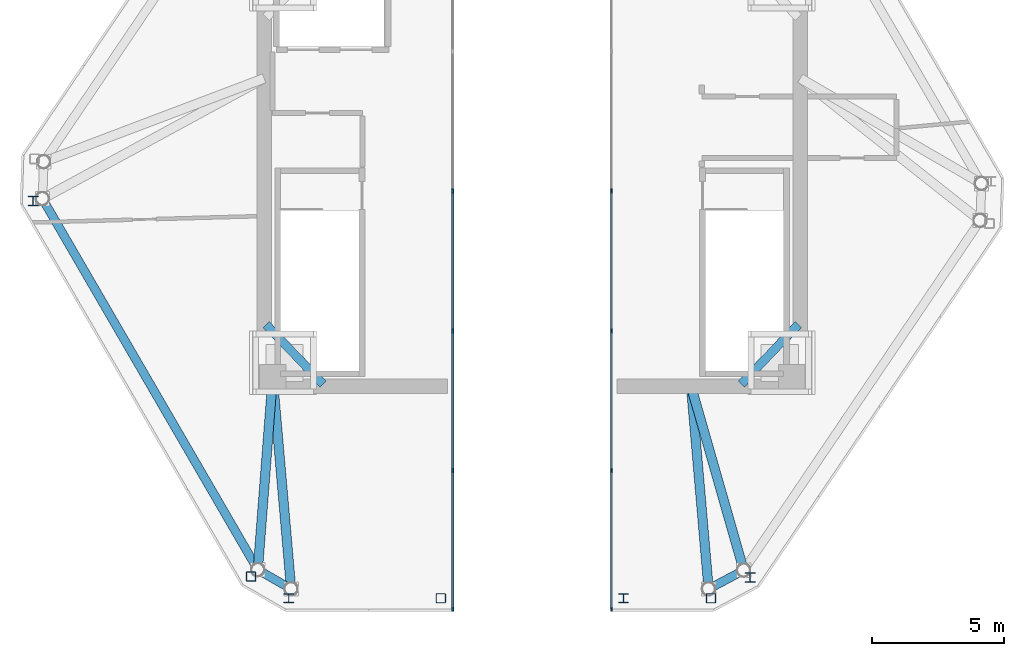
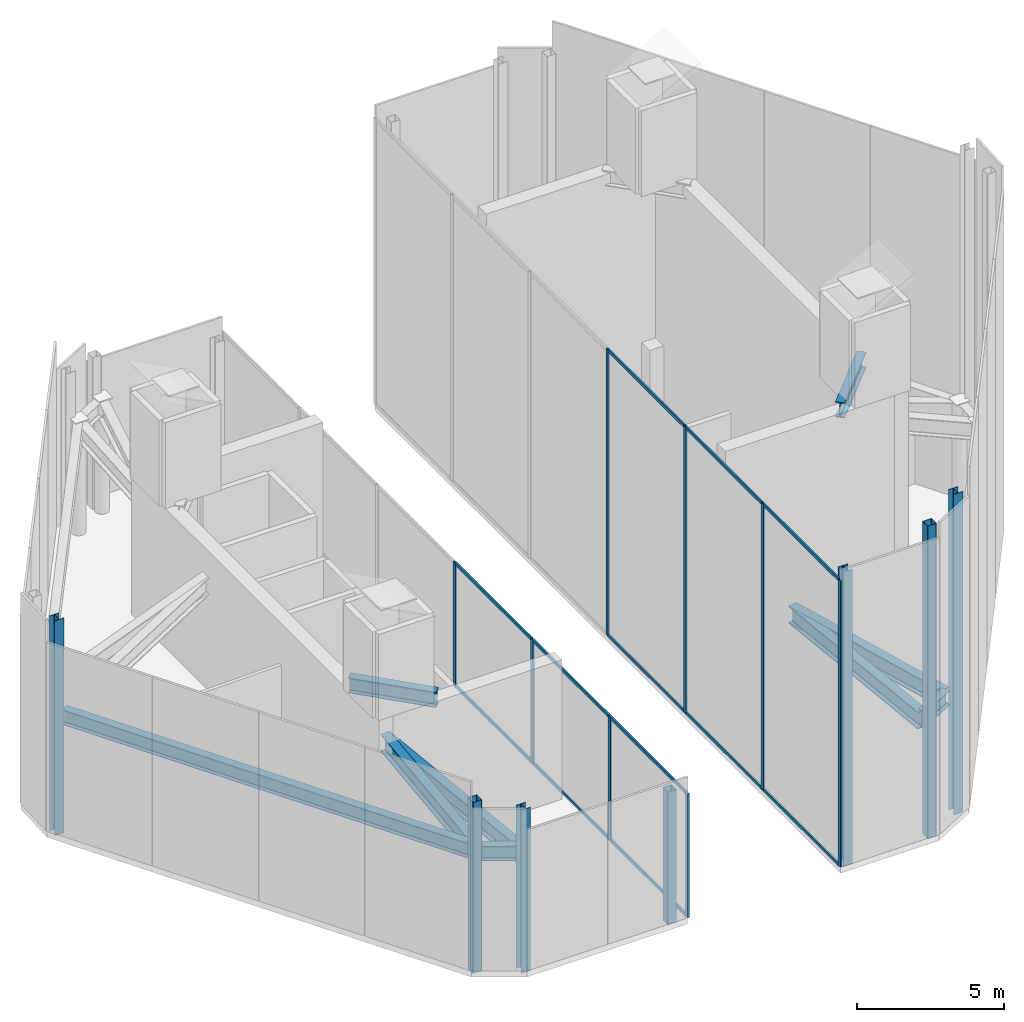
# One storey, part 2 of 9: 27 members, 9 beams, 2 elements without a shape of their own.
"""IFC4 building model written with IfcOpenShell, lengths in metres."""

from ifc_helpers import new_model, si_unit, direction, frame, origin, origin_2d, place, context, subcontext, project, spatial, rectangle, hollow_rectangle, i_section, extrude, source, transform, mapped, material, layer, layer_set, material_profile, profile_set, type_object, type_shapes, element, aggregate, save


model = new_model("IFC4")

# Units and contexts
model_context = context("Model", 3, precision=1e-05, world=origin(), true_north=direction((0.0, 1.0)))
body_context = subcontext(model_context, "Body", "Model", "MODEL_VIEW")
ifc_project = project(units=[si_unit("LENGTHUNIT", "METRE"), si_unit("AREAUNIT", "SQUARE_METRE"), si_unit("VOLUMEUNIT", "CUBIC_METRE"), si_unit("PLANEANGLEUNIT", "RADIAN"), si_unit("MASSUNIT", "GRAM", prefix="KILO")], contexts=[model_context])

# Site, building, storey
site_placement = place(None, origin())
site = spatial("IfcSite", under=ifc_project, at=site_placement, CompositionType="ELEMENT")
building_placement = place(site_placement, origin())
building = spatial("IfcBuilding", under=site, at=building_placement, Name="Durnholm Broadcast Tower", CompositionType="ELEMENT")
storey_placement = place(building_placement, frame((0.0, 0.0, 287.0)))
storey = spatial("IfcBuildingStorey", under=building, at=storey_placement, Name="L79", CompositionType="ELEMENT", Elevation=287.0)

# Beams
ifc_material_1 = material(Name="Steel ASTM A992 Grade 50", Category="steel")
ifc_material_profile_1 = material_profile(ifc_material_1, i_section(OverallWidth=0.3251953125, OverallDepth=0.6162109375, WebThickness=0.013916015625, FlangeThickness=0.021484375, FilletRadius=0.02783203125, at=origin_2d()), Name="W24X117")
ifc_profile_set_1 = profile_set([ifc_material_profile_1], Name="Steel ASTM A992 Grade 50")
beam_type_1 = type_object("IfcBeamType", Name="STL-SP-W24X117", PredefinedType="SPANDREL", material=ifc_profile_set_1)
shared_shape_1 = source(origin(), body_context, "Body", "SweptSolid", [
    extrude(i_section(OverallWidth=0.3251953125, OverallDepth=0.6162109375, WebThickness=0.013916015625, FlangeThickness=0.021484375, FilletRadius=0.02783203125, at=origin_2d()), origin(), (0.0, 0.0, 1.0), 16.202880859375),
])
beam_1_placement = place(storey_placement, frame((-10.361328125, -15.061767578125, 4.39697265625), z_axis=(-0.501948303381, 0.864897624423, 0.0), x_axis=(-0.864897624423, -0.501948303381, 0.0)))
element("IfcBeam", 1, at=beam_1_placement, inside=storey, type_object=beam_type_1, Name="L79 perimeter spandrel girder 01", PredefinedType="SPANDREL", context=body_context, shape_type="MappedRepresentation", body=[
    mapped(shared_shape_1, transform((0.0, 0.0, 0.0), x_axis=(1.0, 0.0, 0.0), y_axis=(0.0, 1.0, 0.0), z_axis=(0.0, 0.0, 1.0), scale=1.0)),
])
shared_shape_2 = source(origin(), body_context, "Body", "SweptSolid", [
    extrude(i_section(OverallWidth=0.3251953125, OverallDepth=0.6162109375, WebThickness=0.013916015625, FlangeThickness=0.021484375, FilletRadius=0.02783203125, at=origin_2d()), origin(), (0.0, 0.0, 1.0), 1.502685546875),
])
beam_2_placement = place(storey_placement, frame((7.990966796875, -15.081298828125, 4.39697265625), z_axis=(-0.883241909673, -0.468917614296, 0.0), x_axis=(0.468917614296, -0.883241909673, 0.0)))
element("IfcBeam", 2, at=beam_2_placement, inside=storey, type_object=beam_type_1, Name="L79 perimeter spandrel girder 10", PredefinedType="SPANDREL", context=body_context, shape_type="MappedRepresentation", body=[
    mapped(shared_shape_2, transform((0.0, 0.0, 0.0), x_axis=(1.0, 0.0, 0.0), y_axis=(0.0, 1.0, 0.0), z_axis=(0.0, 0.0, 1.0), scale=1.0)),
])
shared_shape_3 = source(origin(), body_context, "Body", "SweptSolid", [
    extrude(i_section(OverallWidth=0.3251953125, OverallDepth=0.6162109375, WebThickness=0.013916015625, FlangeThickness=0.021484375, FilletRadius=0.02783203125, at=origin_2d()), origin(), (0.0, 0.0, 1.0), 1.451171875),
])
type_shapes(beam_type_1, [shared_shape_1, shared_shape_2, shared_shape_3])
beam_3_placement = place(storey_placement, frame((-9.103759765625, -15.785888671875, 4.39697265625), z_axis=(-0.866602615509, 0.498998904601, 0.0), x_axis=(-0.498998904601, -0.866602615509, 0.0)))
element("IfcBeam", 3, at=beam_3_placement, inside=storey, type_object=beam_type_1, Name="L79 perimeter spandrel girder 12", PredefinedType="SPANDREL", context=body_context, shape_type="MappedRepresentation", body=[
    mapped(shared_shape_3, transform((0.0, 0.0, 0.0), x_axis=(1.0, 0.0, 0.0), y_axis=(0.0, 1.0, 0.0), z_axis=(0.0, 0.0, 1.0), scale=1.0)),
])
ifc_material_profile_2 = material_profile(ifc_material_1, i_section(OverallWidth=0.3564453125, OverallDepth=0.713623046875, WebThickness=0.01904296875, FlangeThickness=0.033935546875, FilletRadius=0.030517578125, at=origin_2d()), Name="W27X194")
ifc_profile_set_2 = profile_set([ifc_material_profile_2], Name="Steel ASTM A992 Grade 50")
beam_type_2 = type_object("IfcBeamType", Name="STL-GR-W27X194", PredefinedType="USERDEFINED", material=ifc_profile_set_2)
shared_shape_4 = source(origin(), body_context, "Body", "SweptSolid", [
    extrude(i_section(OverallWidth=0.3564453125, OverallDepth=0.713623046875, WebThickness=0.01904296875, FlangeThickness=0.033935546875, FilletRadius=0.030517578125, at=origin_2d()), origin(), (0.0, 0.0, 1.0), 7.283447265625),
])
beam_4_placement = place(storey_placement, frame((-9.800048828125, -7.800048828125, 4.34814453125), z_axis=(-0.07706304746, -0.997026221679, 0.0), x_axis=(0.997026221679, -0.07706304746, 0.0)))
element("IfcBeam", 4, at=beam_4_placement, inside=storey, type_object=beam_type_2, Name="L79 radial primary floor girder 01", ObjectType="GIRDER", PredefinedType="USERDEFINED", context=body_context, shape_type="MappedRepresentation", body=[
    mapped(shared_shape_4, transform((0.0, 0.0, 0.0), x_axis=(1.0, 0.0, 0.0), y_axis=(0.0, 1.0, 0.0), z_axis=(0.0, 0.0, 1.0), scale=1.0)),
])
shared_shape_5 = source(origin(), body_context, "Body", "SweptSolid", [
    extrude(i_section(OverallWidth=0.3564453125, OverallDepth=0.713623046875, WebThickness=0.01904296875, FlangeThickness=0.033935546875, FilletRadius=0.030517578125, at=origin_2d()), origin(), (0.0, 0.0, 1.0), 7.235595703125),
])
beam_5_placement = place(storey_placement, frame((6.0, -8.125, 4.34814453125), z_axis=(0.275162285573, -0.961397793111, 0.0), x_axis=(0.961397793111, 0.275162285573, 0.0)))
element("IfcBeam", 5, at=beam_5_placement, inside=storey, type_object=beam_type_2, Name="L79 radial primary floor girder 10", ObjectType="GIRDER", PredefinedType="USERDEFINED", context=body_context, shape_type="MappedRepresentation", body=[
    mapped(shared_shape_5, transform((0.0, 0.0, 0.0), x_axis=(1.0, 0.0, 0.0), y_axis=(0.0, 1.0, 0.0), z_axis=(0.0, 0.0, 1.0), scale=1.0)),
])
shared_shape_6 = source(origin(), body_context, "Body", "SweptSolid", [
    extrude(i_section(OverallWidth=0.3564453125, OverallDepth=0.713623046875, WebThickness=0.01904296875, FlangeThickness=0.033935546875, FilletRadius=0.030517578125, at=origin_2d()), origin(), (0.0, 0.0, 1.0), 7.689697265625),
])
beam_6_placement = place(storey_placement, frame((6.0, -8.125, 4.34814453125), z_axis=(0.086326830756, -0.99626687102, 0.0), x_axis=(0.99626687102, 0.086326830756, 0.0)))
element("IfcBeam", 6, at=beam_6_placement, inside=storey, type_object=beam_type_2, Name="L79 radial primary floor girder 11", ObjectType="GIRDER", PredefinedType="USERDEFINED", context=body_context, shape_type="MappedRepresentation", body=[
    mapped(shared_shape_6, transform((0.0, 0.0, 0.0), x_axis=(1.0, 0.0, 0.0), y_axis=(0.0, 1.0, 0.0), z_axis=(0.0, 0.0, 1.0), scale=1.0)),
])
shared_shape_7 = source(origin(), body_context, "Body", "SweptSolid", [
    extrude(i_section(OverallWidth=0.3564453125, OverallDepth=0.713623046875, WebThickness=0.01904296875, FlangeThickness=0.033935546875, FilletRadius=0.030517578125, at=origin_2d()), origin(), (0.0, 0.0, 1.0), 8.01611328125),
])
type_shapes(beam_type_2, [shared_shape_4, shared_shape_5, shared_shape_6, shared_shape_7])
beam_7_placement = place(storey_placement, frame((-9.800048828125, -7.800048828125, 4.34814453125), z_axis=(0.086860920724, -0.996220447718, 0.0), x_axis=(0.996220447718, 0.086860920724, 0.0)))
element("IfcBeam", 7, at=beam_7_placement, inside=storey, type_object=beam_type_2, Name="L79 radial primary floor girder 12", ObjectType="GIRDER", PredefinedType="USERDEFINED", context=body_context, shape_type="MappedRepresentation", body=[
    mapped(shared_shape_7, transform((0.0, 0.0, 0.0), x_axis=(1.0, 0.0, 0.0), y_axis=(0.0, 1.0, 0.0), z_axis=(0.0, 0.0, 1.0), scale=1.0)),
])

# Members
ifc_material_2 = material(Name="Steel ASTM A500 Grade C", Category="steel")
ifc_material_profile_3 = material_profile(ifc_material_2, hollow_rectangle(XDim=0.355712890625, YDim=0.355712890625, WallThickness=0.01171875, InnerFilletRadius=0.017578125, OuterFilletRadius=0.029541015625, at=origin_2d()), Name="HSS14X14X1/2")
ifc_profile_set_3 = profile_set([ifc_material_profile_3], Name="Steel ASTM A500 Grade C")
member_type_1 = type_object("IfcMemberType", Name="STL-CF-HSS14X14", PredefinedType="USERDEFINED", material=ifc_profile_set_3)
shared_shape_8 = source(origin(), body_context, "Body", "SweptSolid", [
    extrude(hollow_rectangle(XDim=0.355712890625, YDim=0.355712890625, WallThickness=0.01171875, InnerFilletRadius=0.017578125, OuterFilletRadius=0.029541015625, at=origin_2d()), origin(), (0.0, 0.0, 1.0), 7.0947265625),
])
member_1_placement = place(storey_placement, frame((-10.6171875, -15.318359375, -0.280029296875), z_axis=(0.0, 0.0, 1.0), x_axis=(1.0, 0.0, 0.0)))
element("IfcMember", 8, at=member_1_placement, inside=storey, type_object=member_type_1, Name="L79 W split-crown frame post 1", ObjectType="CROWN FRAME", PredefinedType="USERDEFINED", context=body_context, shape_type="MappedRepresentation", body=[
    mapped(shared_shape_8, transform((0.0, 0.0, 0.0), x_axis=(1.0, 0.0, 0.0), y_axis=(0.0, 1.0, 0.0), z_axis=(0.0, 0.0, 1.0), scale=1.0)),
])
ifc_material_profile_4 = material_profile(ifc_material_1, i_section(OverallWidth=0.368896484375, OverallDepth=0.356201171875, WebThickness=0.01123046875, FlangeThickness=0.01806640625, FilletRadius=0.030517578125, at=origin_2d()), Name="W14X90")
ifc_profile_set_4 = profile_set([ifc_material_profile_4], Name="Steel ASTM A992 Grade 50")
member_type_2 = type_object("IfcMemberType", Name="STL-CF-W14X90", PredefinedType="USERDEFINED", material=ifc_profile_set_4)
shared_shape_9 = source(origin(), body_context, "Body", "SweptSolid", [
    extrude(i_section(OverallWidth=0.368896484375, OverallDepth=0.356201171875, WebThickness=0.01123046875, FlangeThickness=0.01806640625, FilletRadius=0.030517578125, at=origin_2d()), origin(), (0.0, 0.0, 1.0), 6.780029296875),
])
member_2_placement = place(storey_placement, frame((-9.197265625, -16.135986328125, -0.280029296875), z_axis=(0.0, 0.0, 1.0), x_axis=(1.0, 0.0, 0.0)))
element("IfcMember", 9, at=member_2_placement, inside=storey, type_object=member_type_2, Name="L79 W split-crown frame post 2", ObjectType="CROWN FRAME", PredefinedType="USERDEFINED", context=body_context, shape_type="MappedRepresentation", body=[
    mapped(shared_shape_9, transform((0.0, 0.0, 0.0), x_axis=(1.0, 0.0, 0.0), y_axis=(0.0, 1.0, 0.0), z_axis=(0.0, 0.0, 1.0), scale=1.0)),
])
shared_shape_10 = source(origin(), body_context, "Body", "SweptSolid", [
    extrude(hollow_rectangle(XDim=0.355712890625, YDim=0.355712890625, WallThickness=0.01171875, InnerFilletRadius=0.017578125, OuterFilletRadius=0.029541015625, at=origin_2d()), origin(), (0.0, 0.0, 1.0), 5.505859375),
])
member_3_placement = place(storey_placement, frame((-3.449951171875, -16.135986328125, -0.280029296875), z_axis=(0.0, 0.0, 1.0), x_axis=(1.0, 0.0, 0.0)))
element("IfcMember", 10, at=member_3_placement, inside=storey, type_object=member_type_1, Name="L79 W split-crown frame post 3", ObjectType="CROWN FRAME", PredefinedType="USERDEFINED", context=body_context, shape_type="MappedRepresentation", body=[
    mapped(shared_shape_10, transform((0.0, 0.0, 0.0), x_axis=(1.0, 0.0, 0.0), y_axis=(0.0, 1.0, 0.0), z_axis=(0.0, 0.0, 1.0), scale=1.0)),
])
shared_shape_11 = source(origin(), body_context, "Body", "SweptSolid", [
    extrude(i_section(OverallWidth=0.368896484375, OverallDepth=0.356201171875, WebThickness=0.01123046875, FlangeThickness=0.01806640625, FilletRadius=0.030517578125, at=origin_2d()), origin(), (0.0, 0.0, 1.0), 8.91943359375),
])
member_4_placement = place(storey_placement, frame((-18.847412109375, -1.136474609375, -0.280029296875), z_axis=(0.0, 0.0, 1.0), x_axis=(1.0, 0.0, 0.0)))
element("IfcMember", 11, at=member_4_placement, inside=storey, type_object=member_type_2, Name="L79 W split-crown frame post 8", ObjectType="CROWN FRAME", PredefinedType="USERDEFINED", context=body_context, shape_type="MappedRepresentation", body=[
    mapped(shared_shape_11, transform((0.0, 0.0, 0.0), x_axis=(1.0, 0.0, 0.0), y_axis=(0.0, 1.0, 0.0), z_axis=(0.0, 0.0, 1.0), scale=1.0)),
])
shared_shape_12 = source(origin(), body_context, "Body", "SweptSolid", [
    extrude(i_section(OverallWidth=0.368896484375, OverallDepth=0.356201171875, WebThickness=0.01123046875, FlangeThickness=0.01806640625, FilletRadius=0.030517578125, at=origin_2d()), origin(), (0.0, 0.0, 1.0), 12.24365234375),
])
member_5_placement = place(storey_placement, frame((3.449951171875, -16.135986328125, -0.280029296875), z_axis=(0.0, 0.0, 1.0), x_axis=(1.0, 0.0, 0.0)))
element("IfcMember", 12, at=member_5_placement, inside=storey, type_object=member_type_2, Name="L79 E split-crown frame post 2", ObjectType="CROWN FRAME", PredefinedType="USERDEFINED", context=body_context, shape_type="MappedRepresentation", body=[
    mapped(shared_shape_12, transform((0.0, 0.0, 0.0), x_axis=(1.0, 0.0, 0.0), y_axis=(0.0, 1.0, 0.0), z_axis=(0.0, 0.0, 1.0), scale=1.0)),
])
shared_shape_13 = source(origin(), body_context, "Body", "SweptSolid", [
    extrude(hollow_rectangle(XDim=0.355712890625, YDim=0.355712890625, WallThickness=0.01171875, InnerFilletRadius=0.017578125, OuterFilletRadius=0.029541015625, at=origin_2d()), origin(), (0.0, 0.0, 1.0), 12.975341796875),
])
type_shapes(member_type_1, [shared_shape_8, shared_shape_10, shared_shape_13])
member_6_placement = place(storey_placement, frame((6.7509765625, -16.135986328125, -0.280029296875), z_axis=(0.0, 0.0, 1.0), x_axis=(1.0, 0.0, 0.0)))
element("IfcMember", 13, at=member_6_placement, inside=storey, type_object=member_type_1, Name="L79 E split-crown frame post 3", ObjectType="CROWN FRAME", PredefinedType="USERDEFINED", context=body_context, shape_type="MappedRepresentation", body=[
    mapped(shared_shape_13, transform((0.0, 0.0, 0.0), x_axis=(1.0, 0.0, 0.0), y_axis=(0.0, 1.0, 0.0), z_axis=(0.0, 0.0, 1.0), scale=1.0)),
])
shared_shape_14 = source(origin(), body_context, "Body", "SweptSolid", [
    extrude(i_section(OverallWidth=0.368896484375, OverallDepth=0.356201171875, WebThickness=0.01123046875, FlangeThickness=0.01806640625, FilletRadius=0.030517578125, at=origin_2d()), origin(), (0.0, 0.0, 1.0), 13.3037109375),
])
type_shapes(member_type_2, [shared_shape_9, shared_shape_11, shared_shape_12, shared_shape_14])
member_7_placement = place(storey_placement, frame((8.23193359375, -15.349609375, -0.280029296875), z_axis=(0.0, 0.0, 1.0), x_axis=(1.0, 0.0, 0.0)))
element("IfcMember", 14, at=member_7_placement, inside=storey, type_object=member_type_2, Name="L79 E split-crown frame post 4", ObjectType="CROWN FRAME", PredefinedType="USERDEFINED", context=body_context, shape_type="MappedRepresentation", body=[
    mapped(shared_shape_14, transform((0.0, 0.0, 0.0), x_axis=(1.0, 0.0, 0.0), y_axis=(0.0, 1.0, 0.0), z_axis=(0.0, 0.0, 1.0), scale=1.0)),
])

# Beams
ifc_material_profile_5 = material_profile(ifc_material_1, i_section(OverallWidth=0.3291015625, OverallDepth=0.635009765625, WebThickness=0.017822265625, FlangeThickness=0.031005859375, FilletRadius=0.02783203125, at=origin_2d()), Name="W24X162")
ifc_profile_set_5 = profile_set([ifc_material_profile_5], Name="Steel ASTM A992 Grade 50")
beam_type_3 = type_object("IfcBeamType", Name="STL-SP-W24X162", PredefinedType="SPANDREL", material=ifc_profile_set_5)
shared_shape_15 = source(origin(), body_context, "Body", "SweptSolid", [
    extrude(i_section(OverallWidth=0.3291015625, OverallDepth=0.635009765625, WebThickness=0.017822265625, FlangeThickness=0.031005859375, FilletRadius=0.02783203125, at=origin_2d()), origin(), (0.0, 0.0, 1.0), 3.112060546875),
])
type_shapes(beam_type_3, [shared_shape_15])
for number, where, z_axis, x_axis, name in (
    (15, (-10.050048828125, -5.800048828125, 5.64990234375), (0.690882374413, -0.722967180946, 0.0), (0.722967180946, 0.690882374413, 0.0), "L79 bulkhead corner trimmer girder HBM-W1"),
    (16, (10.050048828125, -5.800048828125, 12.050048828125), (-0.690882374413, -0.722967180946, 0.0), (0.722967180946, -0.690882374413, 0.0), "L79 bulkhead corner trimmer girder HBM-E3"),
):
    element("IfcBeam", number, at=place(storey_placement, frame(where, z_axis=z_axis, x_axis=x_axis)), inside=storey, type_object=beam_type_3, Name=name, ObjectType="GIRDER", PredefinedType="USERDEFINED", context=body_context, shape_type="MappedRepresentation", body=[
        mapped(shared_shape_15, transform((0.0, 0.0, 0.0), x_axis=(1.0, 0.0, 0.0), y_axis=(0.0, 1.0, 0.0), z_axis=(0.0, 0.0, 1.0), scale=1.0)),
    ])

# Curtain wall, members
ifc_material_3 = material(Name="Aluminium and Solar Control IGU", Category="aluminium")
ifc_layer = layer(ifc_material_3, 0.1650390625)
ifc_layer_set = layer_set([ifc_layer], Name="Aluminium and Solar Control IGU")
curtain_wall_type = type_object("IfcCurtainWallType", Name="CW-SYS-7", PredefinedType="NOTDEFINED", material=ifc_layer_set)
curtain_wall_1_placement = place(storey_placement, origin())
curtain_wall_1 = element("IfcCurtainWall", 17, at=curtain_wall_1_placement, inside=storey, type_object=curtain_wall_type, Name="L79 curtain wall CW-CROWN CW-L79-W-5", PredefinedType="NOTDEFINED")
ifc_material_4 = material(Name="Aluminium 6063-T6", Category="aluminium")
ifc_material_profile_6 = material_profile(ifc_material_4, rectangle(XDim=0.06494140625, YDim=0.1298828125, at=origin_2d()), Name="CWT65X130")
ifc_profile_set_6 = profile_set([ifc_material_profile_6], Name="Aluminium 6063-T6")
member_type_3 = type_object("IfcMemberType", Name="CW-SYS-7-TRN", PredefinedType="USERDEFINED", material=ifc_profile_set_6)
shared_shape_16 = source(origin(), body_context, "Body", "SweptSolid", [
    extrude(rectangle(XDim=0.06494140625, YDim=0.1298828125, at=origin_2d()), origin(), (0.0, 0.0, 1.0), 5.17724609375),
])
member_8_placement = place(storey_placement, frame((-3.0, -11.34375, 0.032470703125), z_axis=(0.0, -1.0, 0.0), x_axis=(1.0, 0.0, 0.0)))
member_8 = element("IfcMember", 18, at=member_8_placement, type_object=member_type_3, Name="CW-CROWN transom 6.1", ObjectType="TRANSOM", PredefinedType="USERDEFINED", context=body_context, shape_type="MappedRepresentation", body=[
    mapped(shared_shape_16, transform((0.0, 0.0, 0.0), x_axis=(1.0, 0.0, 0.0), y_axis=(0.0, 1.0, 0.0), z_axis=(0.0, 0.0, 1.0), scale=1.0)),
])
member_9_placement = place(storey_placement, frame((-3.0, -11.34375, 5.113525390625), z_axis=(0.0, -1.0, 0.0), x_axis=(1.0, 0.0, 0.0)))
member_9 = element("IfcMember", 19, at=member_9_placement, type_object=member_type_3, Name="CW-CROWN transom 6.2", ObjectType="TRANSOM", PredefinedType="USERDEFINED", context=body_context, shape_type="MappedRepresentation", body=[
    mapped(shared_shape_16, transform((0.0, 0.0, 0.0), x_axis=(1.0, 0.0, 0.0), y_axis=(0.0, 1.0, 0.0), z_axis=(0.0, 0.0, 1.0), scale=1.0)),
])

curtain_wall_2_placement = place(storey_placement, origin())
curtain_wall_2 = element("IfcCurtainWall", 20, at=curtain_wall_2_placement, inside=storey, type_object=curtain_wall_type, Name="L79 curtain wall CW-CROWN CW-L79-E-7", PredefinedType="NOTDEFINED")
member_10_placement = place(storey_placement, frame((3.0, -16.52099609375, 0.032470703125), z_axis=(0.0, 1.0, 0.0), x_axis=(-1.0, 0.0, 0.0)))
member_10 = element("IfcMember", 21, at=member_10_placement, type_object=member_type_3, Name="CW-CROWN transom 1.1", ObjectType="TRANSOM", PredefinedType="USERDEFINED", context=body_context, shape_type="MappedRepresentation", body=[
    mapped(shared_shape_16, transform((0.0, 0.0, 0.0), x_axis=(1.0, 0.0, 0.0), y_axis=(0.0, 1.0, 0.0), z_axis=(0.0, 0.0, 1.0), scale=1.0)),
])
member_11_placement = place(storey_placement, frame((3.0, -16.52099609375, 11.851318359375), z_axis=(0.0, 1.0, 0.0), x_axis=(-1.0, 0.0, 0.0)))
member_11 = element("IfcMember", 22, at=member_11_placement, type_object=member_type_3, Name="CW-CROWN transom 1.2", ObjectType="TRANSOM", PredefinedType="USERDEFINED", context=body_context, shape_type="MappedRepresentation", body=[
    mapped(shared_shape_16, transform((0.0, 0.0, 0.0), x_axis=(1.0, 0.0, 0.0), y_axis=(0.0, 1.0, 0.0), z_axis=(0.0, 0.0, 1.0), scale=1.0)),
])

# Member
shared_shape_17 = source(origin(), body_context, "Body", "SweptSolid", [
    extrude(rectangle(XDim=0.06494140625, YDim=0.1298828125, at=origin_2d()), origin(), (0.0, 0.0, 1.0), 5.209716796875),
])
type_shapes(member_type_3, [shared_shape_16, shared_shape_17])
member_12_placement = place(storey_placement, frame((-3.0, -0.79443359375, 0.032470703125), z_axis=(0.0, -1.0, 0.0), x_axis=(1.0, 0.0, 0.0)))
member_12 = element("IfcMember", 23, at=member_12_placement, type_object=member_type_3, Name="CW-CROWN transom 4.1", ObjectType="TRANSOM", PredefinedType="USERDEFINED", context=body_context, shape_type="MappedRepresentation", body=[
    mapped(shared_shape_17, transform((0.0, 0.0, 0.0), x_axis=(1.0, 0.0, 0.0), y_axis=(0.0, 1.0, 0.0), z_axis=(0.0, 0.0, 1.0), scale=1.0)),
])

member_13_placement = place(storey_placement, frame((-3.0, -0.79443359375, 5.113525390625), z_axis=(0.0, -1.0, 0.0), x_axis=(1.0, 0.0, 0.0)))
member_13 = element("IfcMember", 24, at=member_13_placement, type_object=member_type_3, Name="CW-CROWN transom 4.2", ObjectType="TRANSOM", PredefinedType="USERDEFINED", context=body_context, shape_type="MappedRepresentation", body=[
    mapped(shared_shape_17, transform((0.0, 0.0, 0.0), x_axis=(1.0, 0.0, 0.0), y_axis=(0.0, 1.0, 0.0), z_axis=(0.0, 0.0, 1.0), scale=1.0)),
])

member_14_placement = place(storey_placement, frame((-3.0, -6.069091796875, 0.032470703125), z_axis=(0.0, -1.0, 0.0), x_axis=(1.0, 0.0, 0.0)))
member_14 = element("IfcMember", 25, at=member_14_placement, type_object=member_type_3, Name="CW-CROWN transom 5.1", ObjectType="TRANSOM", PredefinedType="USERDEFINED", context=body_context, shape_type="MappedRepresentation", body=[
    mapped(shared_shape_17, transform((0.0, 0.0, 0.0), x_axis=(1.0, 0.0, 0.0), y_axis=(0.0, 1.0, 0.0), z_axis=(0.0, 0.0, 1.0), scale=1.0)),
])

member_15_placement = place(storey_placement, frame((-3.0, -6.069091796875, 5.113525390625), z_axis=(0.0, -1.0, 0.0), x_axis=(1.0, 0.0, 0.0)))
member_15 = element("IfcMember", 26, at=member_15_placement, type_object=member_type_3, Name="CW-CROWN transom 5.2", ObjectType="TRANSOM", PredefinedType="USERDEFINED", context=body_context, shape_type="MappedRepresentation", body=[
    mapped(shared_shape_17, transform((0.0, 0.0, 0.0), x_axis=(1.0, 0.0, 0.0), y_axis=(0.0, 1.0, 0.0), z_axis=(0.0, 0.0, 1.0), scale=1.0)),
])

member_16_placement = place(storey_placement, frame((3.0, -11.27880859375, 0.032470703125), z_axis=(0.0, 1.0, 0.0), x_axis=(-1.0, 0.0, 0.0)))
member_16 = element("IfcMember", 27, at=member_16_placement, type_object=member_type_3, Name="CW-CROWN transom 2.1", ObjectType="TRANSOM", PredefinedType="USERDEFINED", context=body_context, shape_type="MappedRepresentation", body=[
    mapped(shared_shape_17, transform((0.0, 0.0, 0.0), x_axis=(1.0, 0.0, 0.0), y_axis=(0.0, 1.0, 0.0), z_axis=(0.0, 0.0, 1.0), scale=1.0)),
])

member_17_placement = place(storey_placement, frame((3.0, -11.27880859375, 11.851318359375), z_axis=(0.0, 1.0, 0.0), x_axis=(-1.0, 0.0, 0.0)))
member_17 = element("IfcMember", 28, at=member_17_placement, type_object=member_type_3, Name="CW-CROWN transom 2.2", ObjectType="TRANSOM", PredefinedType="USERDEFINED", context=body_context, shape_type="MappedRepresentation", body=[
    mapped(shared_shape_17, transform((0.0, 0.0, 0.0), x_axis=(1.0, 0.0, 0.0), y_axis=(0.0, 1.0, 0.0), z_axis=(0.0, 0.0, 1.0), scale=1.0)),
])

member_18_placement = place(storey_placement, frame((3.0, -6.004150390625, 0.032470703125), z_axis=(0.0, 1.0, 0.0), x_axis=(-1.0, 0.0, 0.0)))
member_18 = element("IfcMember", 29, at=member_18_placement, type_object=member_type_3, Name="CW-CROWN transom 3.1", ObjectType="TRANSOM", PredefinedType="USERDEFINED", context=body_context, shape_type="MappedRepresentation", body=[
    mapped(shared_shape_17, transform((0.0, 0.0, 0.0), x_axis=(1.0, 0.0, 0.0), y_axis=(0.0, 1.0, 0.0), z_axis=(0.0, 0.0, 1.0), scale=1.0)),
])

member_19_placement = place(storey_placement, frame((3.0, -6.004150390625, 11.851318359375), z_axis=(0.0, 1.0, 0.0), x_axis=(-1.0, 0.0, 0.0)))
member_19 = element("IfcMember", 30, at=member_19_placement, type_object=member_type_3, Name="CW-CROWN transom 3.2", ObjectType="TRANSOM", PredefinedType="USERDEFINED", context=body_context, shape_type="MappedRepresentation", body=[
    mapped(shared_shape_17, transform((0.0, 0.0, 0.0), x_axis=(1.0, 0.0, 0.0), y_axis=(0.0, 1.0, 0.0), z_axis=(0.0, 0.0, 1.0), scale=1.0)),
])

ifc_material_profile_7 = material_profile(ifc_material_4, rectangle(XDim=0.06494140625, YDim=0.1650390625, at=origin_2d()), Name="CWM65X165")
ifc_profile_set_7 = profile_set([ifc_material_profile_7], Name="Aluminium 6063-T6")
member_type_4 = type_object("IfcMemberType", Name="CW-SYS-7-MUL", PredefinedType="MULLION", material=ifc_profile_set_7)
shared_shape_18 = source(origin(), body_context, "Body", "SweptSolid", [
    extrude(rectangle(XDim=0.06494140625, YDim=0.1650390625, at=origin_2d()), origin(), (0.0, 0.0, 1.0), 5.14599609375),
])
member_20_placement = place(storey_placement, frame((-3.0, -0.761962890625, 0.0), z_axis=(0.0, 0.0, 1.0), x_axis=(1.0, 0.0, 0.0)))
member_20 = element("IfcMember", 31, at=member_20_placement, type_object=member_type_4, Name="CW-CROWN mullion 4", PredefinedType="MULLION", context=body_context, shape_type="MappedRepresentation", body=[
    mapped(shared_shape_18, transform((0.0, 0.0, 0.0), x_axis=(1.0, 0.0, 0.0), y_axis=(0.0, 1.0, 0.0), z_axis=(0.0, 0.0, 1.0), scale=1.0)),
])

member_21_placement = place(storey_placement, frame((-3.0, -6.03662109375, 0.0), z_axis=(0.0, 0.0, 1.0), x_axis=(1.0, 0.0, 0.0)))
member_21 = element("IfcMember", 32, at=member_21_placement, type_object=member_type_4, Name="CW-CROWN mullion 5", PredefinedType="MULLION", context=body_context, shape_type="MappedRepresentation", body=[
    mapped(shared_shape_18, transform((0.0, 0.0, 0.0), x_axis=(1.0, 0.0, 0.0), y_axis=(0.0, 1.0, 0.0), z_axis=(0.0, 0.0, 1.0), scale=1.0)),
])

member_22_placement = place(storey_placement, frame((-3.0, -11.311279296875, 0.0), z_axis=(0.0, 0.0, 1.0), x_axis=(1.0, 0.0, 0.0)))
member_22 = element("IfcMember", 33, at=member_22_placement, type_object=member_type_4, Name="CW-CROWN mullion 6", PredefinedType="MULLION", context=body_context, shape_type="MappedRepresentation", body=[
    mapped(shared_shape_18, transform((0.0, 0.0, 0.0), x_axis=(1.0, 0.0, 0.0), y_axis=(0.0, 1.0, 0.0), z_axis=(0.0, 0.0, 1.0), scale=1.0)),
])

member_23_placement = place(storey_placement, frame((-3.0, -16.553466796875, 0.0), z_axis=(0.0, 0.0, 1.0), x_axis=(1.0, 0.0, 0.0)))
member_23 = element("IfcMember", 34, at=member_23_placement, type_object=member_type_4, Name="CW-CROWN mullion 7", PredefinedType="MULLION", context=body_context, shape_type="MappedRepresentation", body=[
    mapped(shared_shape_18, transform((0.0, 0.0, 0.0), x_axis=(1.0, 0.0, 0.0), y_axis=(0.0, 1.0, 0.0), z_axis=(0.0, 0.0, 1.0), scale=1.0)),
])

aggregate(curtain_wall_1, [member_20, member_21, member_22, member_23, member_12, member_13, member_14, member_15, member_8, member_9])

shared_shape_19 = source(origin(), body_context, "Body", "SweptSolid", [
    extrude(rectangle(XDim=0.06494140625, YDim=0.1650390625, at=origin_2d()), origin(), (0.0, 0.0, 1.0), 11.8837890625),
])
type_shapes(member_type_4, [shared_shape_18, shared_shape_19])
member_24_placement = place(storey_placement, frame((3.0, -16.553466796875, 0.0), z_axis=(0.0, 0.0, 1.0), x_axis=(-1.0, 0.0, 0.0)))
member_24 = element("IfcMember", 35, at=member_24_placement, type_object=member_type_4, Name="CW-CROWN mullion 1", PredefinedType="MULLION", context=body_context, shape_type="MappedRepresentation", body=[
    mapped(shared_shape_19, transform((0.0, 0.0, 0.0), x_axis=(1.0, 0.0, 0.0), y_axis=(0.0, 1.0, 0.0), z_axis=(0.0, 0.0, 1.0), scale=1.0)),
])

member_25_placement = place(storey_placement, frame((3.0, -11.311279296875, 0.0), z_axis=(0.0, 0.0, 1.0), x_axis=(-1.0, 0.0, 0.0)))
member_25 = element("IfcMember", 36, at=member_25_placement, type_object=member_type_4, Name="CW-CROWN mullion 2", PredefinedType="MULLION", context=body_context, shape_type="MappedRepresentation", body=[
    mapped(shared_shape_19, transform((0.0, 0.0, 0.0), x_axis=(1.0, 0.0, 0.0), y_axis=(0.0, 1.0, 0.0), z_axis=(0.0, 0.0, 1.0), scale=1.0)),
])

member_26_placement = place(storey_placement, frame((3.0, -6.03662109375, 0.0), z_axis=(0.0, 0.0, 1.0), x_axis=(-1.0, 0.0, 0.0)))
member_26 = element("IfcMember", 37, at=member_26_placement, type_object=member_type_4, Name="CW-CROWN mullion 3", PredefinedType="MULLION", context=body_context, shape_type="MappedRepresentation", body=[
    mapped(shared_shape_19, transform((0.0, 0.0, 0.0), x_axis=(1.0, 0.0, 0.0), y_axis=(0.0, 1.0, 0.0), z_axis=(0.0, 0.0, 1.0), scale=1.0)),
])

member_27_placement = place(storey_placement, frame((3.0, -0.761962890625, 0.0), z_axis=(0.0, 0.0, 1.0), x_axis=(-1.0, 0.0, 0.0)))
member_27 = element("IfcMember", 38, at=member_27_placement, type_object=member_type_4, Name="CW-CROWN mullion 4", PredefinedType="MULLION", context=body_context, shape_type="MappedRepresentation", body=[
    mapped(shared_shape_19, transform((0.0, 0.0, 0.0), x_axis=(1.0, 0.0, 0.0), y_axis=(0.0, 1.0, 0.0), z_axis=(0.0, 0.0, 1.0), scale=1.0)),
])

aggregate(curtain_wall_2, [member_24, member_25, member_26, member_27, member_10, member_11, member_16, member_17, member_18, member_19])

save(model, "model.ifc")
